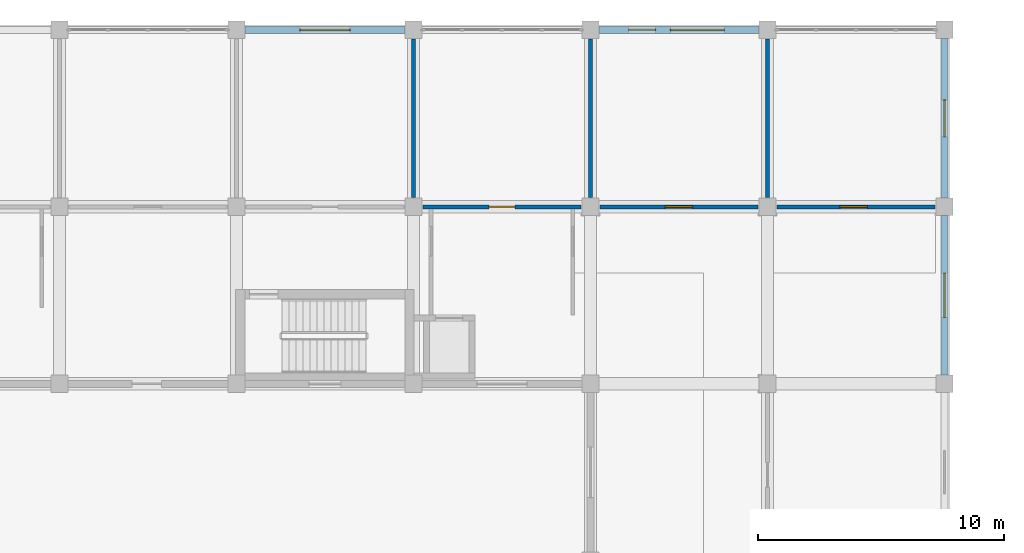
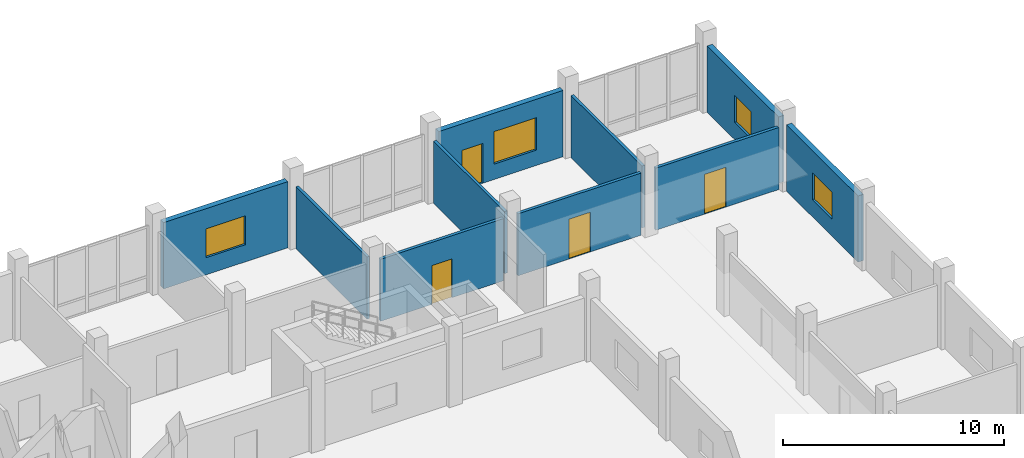
# One storey, part 126 of 139: 10 walls, 4 doors, 4 windows, 8 openings.
"""IFC4 building model written with IfcOpenShell, lengths in metres."""

from ifc_helpers import new_model, si_unit, direction, frame, frame_2d, origin, place, context, subcontext, project, spatial, rectangle, extrude, material, layer, layer_set, type_object, element, fill, save


model = new_model("IFC4")

# Units and contexts
model_context = context("Model", 3, precision=1e-05, world=origin(), true_north=direction((0.0, 1.0)))
body_context = subcontext(model_context, "Body", "Model", "MODEL_VIEW")
ifc_project = project(units=[si_unit("LENGTHUNIT", "METRE"), si_unit("AREAUNIT", "SQUARE_METRE"), si_unit("VOLUMEUNIT", "CUBIC_METRE"), si_unit("PLANEANGLEUNIT", "RADIAN"), si_unit("MASSUNIT", "GRAM", prefix="KILO")], contexts=[model_context])

# Site, building, storey
site_placement = place(None, origin())
site = spatial("IfcSite", under=ifc_project, at=site_placement, CompositionType="ELEMENT")
building_placement = place(site_placement, origin())
building = spatial("IfcBuilding", under=site, at=building_placement, Name="Suanplinth Sawtooth Commons", CompositionType="ELEMENT")
storey_placement = place(building_placement, origin())
storey = spatial("IfcBuildingStorey", under=building, at=storey_placement, Name="L00", CompositionType="ELEMENT", Elevation=0.0)

# Wall, opening, window
ifc_material_1 = material(Name="Precast concrete C40/50", Category="concrete")
ifc_layer_1 = layer(ifc_material_1, 0.280029296875, Name="Insulated precast architectural facade wall 280mm")
ifc_layer_set_1 = layer_set([ifc_layer_1], Name="Precast concrete C40/50")
wall_type_1 = type_object("IfcWallType", Name="W-EX01", PredefinedType="ELEMENTEDWALL", material=ifc_layer_set_1)
wall_1_placement = place(storey_placement, frame((158.75, 122.39990234375, 0.0), z_axis=(0.0, 0.0, 1.0), x_axis=(1.0, 0.0, 0.0)))
wall_1 = element("IfcWall", 1, at=wall_1_placement, inside=storey, type_object=wall_type_1, Name="Facade Wall W-L00-B-N-22-16", PredefinedType="ELEMENTEDWALL", context=body_context, shape_type="SweptSolid", body=[
    extrude(rectangle(XDim=6.5, YDim=0.280029296875, at=frame_2d((3.25, 0.0))), origin(), (0.0, 0.0, 1.0), 3.6650390625),
])
opening_1_placement = place(wall_1_placement, frame((2.22509765625, 0.0, 0.949951171875)))
opening_1 = element("IfcOpeningElement", 2, at=opening_1_placement, cuts=wall_1, Name="Opening W0107", PredefinedType="OPENING", context=body_context, shape_type="SweptSolid", body=[
    extrude(rectangle(XDim=2.050048828125, YDim=1.60009765625, at=frame_2d((1.02490234375, 0.800048828125))), frame((0.0, 0.15478515625, 0.0), z_axis=(0.0, -1.0, 0.0), x_axis=(1.0, 0.0, 0.0)), (0.0, 0.0, 1.0), 0.309814453125),
])
ifc_material_2 = material(Name="Thermally broken aluminium and low-E double glazing", Category="aluminium")
window_type_1 = type_object("IfcWindowType", Name="WN-25", PartitioningType="DOUBLE_PANEL_VERTICAL", PredefinedType="WINDOW", material=ifc_material_2)
window_1_placement = place(opening_1_placement, origin())
window_1 = element("IfcWindow", 3, at=window_1_placement, inside=storey, type_object=window_type_1, Name="Window L00-B-N-22-16", OverallHeight=1.60009765625, OverallWidth=2.050048828125, PartitioningType="DOUBLE_PANEL_VERTICAL", PredefinedType="WINDOW", context=body_context, shape_type="SweptSolid", body=[
    extrude(rectangle(XDim=2.050048828125, YDim=1.60009765625, at=frame_2d((1.02490234375, 0.800048828125))), frame((0.0, 0.030029296875, 0.0), z_axis=(0.0, -1.0, 0.0), x_axis=(1.0, 0.0, 0.0)), (0.0, 0.0, 1.0), 0.06005859375),
])
fill(opening_1, window_1)

# Wall, openings, door, window
wall_2_placement = place(storey_placement, frame((173.14990234375, 122.39990234375, 0.0), z_axis=(0.0, 0.0, 1.0), x_axis=(1.0, 0.0, 0.0)))
wall_2 = element("IfcWall", 4, at=wall_2_placement, inside=storey, type_object=wall_type_1, Name="Facade Wall W-L00-B-N-24-16", PredefinedType="ELEMENTEDWALL", context=body_context, shape_type="SweptSolid", body=[
    extrude(rectangle(XDim=6.5, YDim=0.280029296875, at=frame_2d((3.25, 0.0))), origin(), (0.0, 0.0, 1.0), 3.6650390625),
])
opening_2_placement = place(wall_2_placement, frame((1.199951171875, 0.0, 0.0)))
opening_2 = element("IfcOpeningElement", 5, at=opening_2_placement, cuts=wall_2, Name="Opening ED0030", PredefinedType="OPENING", context=body_context, shape_type="SweptSolid", body=[
    extrude(rectangle(XDim=1.10009765625, YDim=2.199951171875, at=frame_2d((0.550048828125, 1.10009765625))), frame((0.0, 0.15478515625, 0.0), z_axis=(0.0, -1.0, 0.0), x_axis=(1.0, 0.0, 0.0)), (0.0, 0.0, 1.0), 0.309814453125),
])
opening_3_placement = place(wall_2_placement, frame((2.89990234375, 0.0, 0.85009765625)))
opening_3 = element("IfcOpeningElement", 6, at=opening_3_placement, cuts=wall_2, Name="Opening W0114", PredefinedType="OPENING", context=body_context, shape_type="SweptSolid", body=[
    extrude(rectangle(XDim=2.199951171875, YDim=1.800048828125, at=frame_2d((1.10009765625, 0.89990234375))), frame((0.0, 0.15478515625, 0.0), z_axis=(0.0, -1.0, 0.0), x_axis=(1.0, 0.0, 0.0)), (0.0, 0.0, 1.0), 0.309814453125),
])
ifc_material_3 = material(Name="Anodized aluminium and clear glass", Category="aluminium")
door_type_1 = type_object("IfcDoorType", Name="ED-06", OperationType="NOTDEFINED", PredefinedType="DOOR", material=ifc_material_3)
door_1_placement = place(opening_2_placement, frame((1.10009765625, 0.0, 0.0), z_axis=(0.0, 0.0, 1.0), x_axis=(-1.0, 0.0, 0.0)))
door_1 = element("IfcDoor", 7, at=door_1_placement, inside=storey, type_object=door_type_1, Name="Ground Shop Entrance B-24", OperationType="SINGLE_SWING_LEFT", OverallHeight=2.199951171875, OverallWidth=1.10009765625, PredefinedType="DOOR", context=body_context, shape_type="SweptSolid", body=[
    extrude(rectangle(XDim=1.10009765625, YDim=2.199951171875, at=frame_2d((0.550048828125, 1.10009765625))), frame((0.0, 0.02490234375, 0.0), z_axis=(0.0, -1.0, 0.0), x_axis=(1.0, 0.0, 0.0)), (0.0, 0.0, 1.0), 0.050048828125),
])
fill(opening_2, door_1)
window_type_2 = type_object("IfcWindowType", Name="WN-11", PartitioningType="TRIPLE_PANEL_VERTICAL", PredefinedType="WINDOW", material=ifc_material_2)
window_2_placement = place(opening_3_placement, origin())
window_2 = element("IfcWindow", 8, at=window_2_placement, inside=storey, type_object=window_type_2, Name="Shopfront Window B-24", OverallHeight=1.800048828125, OverallWidth=2.199951171875, PartitioningType="TRIPLE_PANEL_VERTICAL", PredefinedType="WINDOW", context=body_context, shape_type="SweptSolid", body=[
    extrude(rectangle(XDim=2.199951171875, YDim=1.800048828125, at=frame_2d((1.10009765625, 0.89990234375))), frame((0.0, 0.030029296875, 0.0), z_axis=(0.0, -1.0, 0.0), x_axis=(1.0, 0.0, 0.0)), (0.0, 0.0, 1.0), 0.06005859375),
])
fill(opening_3, window_2)

# Wall, opening, window
wall_3_placement = place(storey_placement, frame((187.199951171875, 108.35009765625, 0.0), z_axis=(0.0, 0.0, 1.0), x_axis=(0.0, 1.0, 0.0)))
wall_3 = element("IfcWall", 9, at=wall_3_placement, inside=storey, type_object=wall_type_1, Name="Facade Wall W-L00-B-E-25-15", PredefinedType="ELEMENTEDWALL", context=body_context, shape_type="SweptSolid", body=[
    extrude(rectangle(XDim=6.5, YDim=0.280029296875, at=frame_2d((3.25, 0.0))), origin(), (0.0, 0.0, 1.0), 3.6650390625),
])
opening_4_placement = place(wall_3_placement, frame((2.35009765625, 0.0, 0.949951171875)))
opening_4 = element("IfcOpeningElement", 10, at=opening_4_placement, cuts=wall_3, Name="Opening W0120", PredefinedType="OPENING", context=body_context, shape_type="SweptSolid", body=[
    extrude(rectangle(XDim=1.800048828125, YDim=1.5, at=frame_2d((0.89990234375, 0.75))), frame((0.0, 0.15478515625, 0.0), z_axis=(0.0, -1.0, 0.0), x_axis=(1.0, 0.0, 0.0)), (0.0, 0.0, 1.0), 0.309814453125),
])
window_type_3 = type_object("IfcWindowType", Name="WN-01", PartitioningType="DOUBLE_PANEL_VERTICAL", PredefinedType="WINDOW", material=ifc_material_2)
window_3_placement = place(opening_4_placement, origin())
window_3 = element("IfcWindow", 11, at=window_3_placement, inside=storey, type_object=window_type_3, Name="Window L00-B-E-25-15", OverallHeight=1.5, OverallWidth=1.800048828125, PartitioningType="DOUBLE_PANEL_VERTICAL", PredefinedType="WINDOW", context=body_context, shape_type="SweptSolid", body=[
    extrude(rectangle(XDim=1.800048828125, YDim=1.5, at=frame_2d((0.89990234375, 0.75))), frame((0.0, 0.030029296875, 0.0), z_axis=(0.0, -1.0, 0.0), x_axis=(1.0, 0.0, 0.0)), (0.0, 0.0, 1.0), 0.06005859375),
])
fill(opening_4, window_3)

wall_4_placement = place(storey_placement, frame((187.199951171875, 115.550048828125, 0.0), z_axis=(0.0, 0.0, 1.0), x_axis=(0.0, 1.0, 0.0)))
wall_4 = element("IfcWall", 12, at=wall_4_placement, inside=storey, type_object=wall_type_1, Name="Facade Wall W-L00-B-E-25-16", PredefinedType="ELEMENTEDWALL", context=body_context, shape_type="SweptSolid", body=[
    extrude(rectangle(XDim=6.5, YDim=0.280029296875, at=frame_2d((3.25, 0.0))), origin(), (0.0, 0.0, 1.0), 3.6650390625),
])
opening_5_placement = place(wall_4_placement, frame((2.5, 0.0, 0.949951171875)))
opening_5 = element("IfcOpeningElement", 13, at=opening_5_placement, cuts=wall_4, Name="Opening W0121", PredefinedType="OPENING", context=body_context, shape_type="SweptSolid", body=[
    extrude(rectangle(XDim=1.5, YDim=1.5, at=frame_2d((0.75, 0.75))), frame((0.0, 0.15478515625, 0.0), z_axis=(0.0, -1.0, 0.0), x_axis=(1.0, 0.0, 0.0)), (0.0, 0.0, 1.0), 0.309814453125),
])
window_type_4 = type_object("IfcWindowType", Name="WN-02", PartitioningType="DOUBLE_PANEL_VERTICAL", PredefinedType="WINDOW", material=ifc_material_2)
window_4_placement = place(opening_5_placement, origin())
window_4 = element("IfcWindow", 14, at=window_4_placement, inside=storey, type_object=window_type_4, Name="Window L00-B-E-25-16", OverallHeight=1.5, OverallWidth=1.5, PartitioningType="DOUBLE_PANEL_VERTICAL", PredefinedType="WINDOW", context=body_context, shape_type="SweptSolid", body=[
    extrude(rectangle(XDim=1.5, YDim=1.5, at=frame_2d((0.75, 0.75))), frame((0.0, 0.030029296875, 0.0), z_axis=(0.0, -1.0, 0.0), x_axis=(1.0, 0.0, 0.0)), (0.0, 0.0, 1.0), 0.06005859375),
])
fill(opening_5, window_4)

# Wall, opening, door
ifc_layer_2 = layer(ifc_material_1, 0.159912109375, Name="Fire-rated corridor and lobby wall 160mm")
ifc_layer_set_2 = layer_set([ifc_layer_2], Name="Precast concrete C40/50")
wall_type_2 = type_object("IfcWallType", Name="W-FW01", PredefinedType="PARTITIONING", material=ifc_layer_set_2)
wall_5_placement = place(storey_placement, frame((165.97998046875, 115.199951171875, 0.0), z_axis=(0.0, 0.0, 1.0), x_axis=(1.0, 0.0, 0.0)))
wall_5 = element("IfcWall", 15, at=wall_5_placement, inside=storey, type_object=wall_type_2, Name="W-B-L00-GROUNDROOM-22-COR", PredefinedType="PARTITIONING", context=body_context, shape_type="SweptSolid", body=[
    extrude(rectangle(XDim=6.43994140625, YDim=0.159912109375, at=frame_2d((3.219970703125, 0.0))), origin(), (0.0, 0.0, 1.0), 3.43505859375),
])
opening_6_placement = place(wall_5_placement, frame((2.695068359375, 0.0, 0.0)))
opening_6 = element("IfcOpeningElement", 16, at=opening_6_placement, cuts=wall_5, Name="Opening FD0492", PredefinedType="OPENING", context=body_context, shape_type="SweptSolid", body=[
    extrude(rectangle(XDim=1.050048828125, YDim=2.14990234375, at=frame_2d((0.52490234375, 1.074951171875))), frame((0.0, 0.0947265625, 0.0), z_axis=(0.0, -1.0, 0.0), x_axis=(1.0, 0.0, 0.0)), (0.0, 0.0, 1.0), 0.189697265625),
])
ifc_material_4 = material(Name="Teak hardwood fire-rated door assembly", Category="wood")
door_type_2 = type_object("IfcDoorType", Name="FD-04", OperationType="NOTDEFINED", PredefinedType="DOOR", material=ifc_material_4)
door_2_placement = place(opening_6_placement, origin())
door_2 = element("IfcDoor", 17, at=door_2_placement, inside=storey, type_object=door_type_2, Name="Unit Entrance Door FD0492", OperationType="SINGLE_SWING_RIGHT", OverallHeight=2.14990234375, OverallWidth=1.050048828125, PredefinedType="DOOR", context=body_context, shape_type="SweptSolid", body=[
    extrude(rectangle(XDim=1.050048828125, YDim=2.14990234375, at=frame_2d((0.52490234375, 1.074951171875))), frame((0.0, 0.02490234375, 0.0), z_axis=(0.0, -1.0, 0.0), x_axis=(1.0, 0.0, 0.0)), (0.0, 0.0, 1.0), 0.050048828125),
])
fill(opening_6, door_2)

wall_6_placement = place(storey_placement, frame((173.179931640625, 115.199951171875, 0.0), z_axis=(0.0, 0.0, 1.0), x_axis=(1.0, 0.0, 0.0)))
wall_6 = element("IfcWall", 18, at=wall_6_placement, inside=storey, type_object=wall_type_2, Name="W-B-L00-GROUNDROOM-23-COR", PredefinedType="PARTITIONING", context=body_context, shape_type="SweptSolid", body=[
    extrude(rectangle(XDim=6.440185546875, YDim=0.159912109375, at=frame_2d((3.22021484375, 0.0))), origin(), (0.0, 0.0, 1.0), 3.43505859375),
])
opening_7_placement = place(wall_6_placement, frame((2.659912109375, 0.0, 0.0)))
opening_7 = element("IfcOpeningElement", 19, at=opening_7_placement, cuts=wall_6, Name="Opening D0493", PredefinedType="OPENING", context=body_context, shape_type="SweptSolid", body=[
    extrude(rectangle(XDim=1.1201171875, YDim=2.199951171875, at=frame_2d((0.56005859375, 1.10009765625))), frame((0.0, 0.0947265625, 0.0), z_axis=(0.0, -1.0, 0.0), x_axis=(1.0, 0.0, 0.0)), (0.0, 0.0, 1.0), 0.189697265625),
])
ifc_material_5 = material(Name="Teak hardwood", Category="wood")
door_type_3 = type_object("IfcDoorType", Name="D-18", OperationType="NOTDEFINED", PredefinedType="DOOR", material=ifc_material_5)
door_3_placement = place(opening_7_placement, origin())
door_3 = element("IfcDoor", 20, at=door_3_placement, inside=storey, type_object=door_type_3, Name="Unit Entrance Door D0493", OperationType="SINGLE_SWING_LEFT", OverallHeight=2.199951171875, OverallWidth=1.1201171875, PredefinedType="DOOR", context=body_context, shape_type="SweptSolid", body=[
    extrude(rectangle(XDim=1.1201171875, YDim=2.199951171875, at=frame_2d((0.56005859375, 1.10009765625))), frame((0.0, 0.02490234375, 0.0), z_axis=(0.0, -1.0, 0.0), x_axis=(1.0, 0.0, 0.0)), (0.0, 0.0, 1.0), 0.050048828125),
])
fill(opening_7, door_3)

wall_7_placement = place(storey_placement, frame((180.3798828125, 115.199951171875, 0.0), z_axis=(0.0, 0.0, 1.0), x_axis=(1.0, 0.0, 0.0)))
wall_7 = element("IfcWall", 21, at=wall_7_placement, inside=storey, type_object=wall_type_2, Name="W-B-L00-GROUNDROOM-24-COR", PredefinedType="PARTITIONING", context=body_context, shape_type="SweptSolid", body=[
    extrude(rectangle(XDim=6.440185546875, YDim=0.159912109375, at=frame_2d((3.22021484375, 0.0))), origin(), (0.0, 0.0, 1.0), 3.43505859375),
])
opening_8_placement = place(wall_7_placement, frame((2.56005859375, 0.0, 0.0)))
opening_8 = element("IfcOpeningElement", 22, at=opening_8_placement, cuts=wall_7, Name="Opening D0494", PredefinedType="OPENING", context=body_context, shape_type="SweptSolid", body=[
    extrude(rectangle(XDim=1.1201171875, YDim=2.199951171875, at=frame_2d((0.56005859375, 1.10009765625))), frame((0.0, 0.0947265625, 0.0), z_axis=(0.0, -1.0, 0.0), x_axis=(1.0, 0.0, 0.0)), (0.0, 0.0, 1.0), 0.189697265625),
])
door_4_placement = place(opening_8_placement, origin())
door_4 = element("IfcDoor", 23, at=door_4_placement, inside=storey, type_object=door_type_3, Name="Unit Entrance Door D0494", OperationType="SINGLE_SWING_RIGHT", OverallHeight=2.199951171875, OverallWidth=1.1201171875, PredefinedType="DOOR", context=body_context, shape_type="SweptSolid", body=[
    extrude(rectangle(XDim=1.1201171875, YDim=2.199951171875, at=frame_2d((0.56005859375, 1.10009765625))), frame((0.0, 0.02490234375, 0.0), z_axis=(0.0, -1.0, 0.0), x_axis=(1.0, 0.0, 0.0)), (0.0, 0.0, 1.0), 0.050048828125),
])
fill(opening_8, door_4)

# Walls
ifc_layer_3 = layer(ifc_material_1, 0.14990234375, Name="Acoustic precast party demising wall 150mm")
ifc_layer_set_3 = layer_set([ifc_layer_3], Name="Precast concrete C40/50")
wall_type_3 = type_object("IfcWallType", Name="W-FW02", PredefinedType="PARTITIONING", material=ifc_layer_set_3)
for number, where, z_axis, x_axis, name in (
    (24, (165.60009765625, 115.580078125, 0.0), (0.0, 0.0, 1.0), (0.0, 1.0, 0.0), "W-B-L00-GROUNDROOM-21-PTY"),
    (25, (172.800048828125, 115.580078125, 0.0), (0.0, 0.0, 1.0), (0.0, 1.0, 0.0), "W-B-L00-GROUNDROOM-22-PTY"),
    (26, (180.0, 115.580078125, 0.0), (0.0, 0.0, 1.0), (0.0, 1.0, 0.0), "W-B-L00-GROUNDROOM-23-PTY"),
):
    element("IfcWall", number, at=place(storey_placement, frame(where, z_axis=z_axis, x_axis=x_axis)), inside=storey, type_object=wall_type_3, Name=name, PredefinedType="PARTITIONING", context=body_context, shape_type="SweptSolid", body=[
        extrude(rectangle(XDim=6.43994140625, YDim=0.14990234375, at=frame_2d((3.219970703125, 0.0))), origin(), (0.0, 0.0, 1.0), 3.43505859375),
    ])

save(model, "model.ifc")
